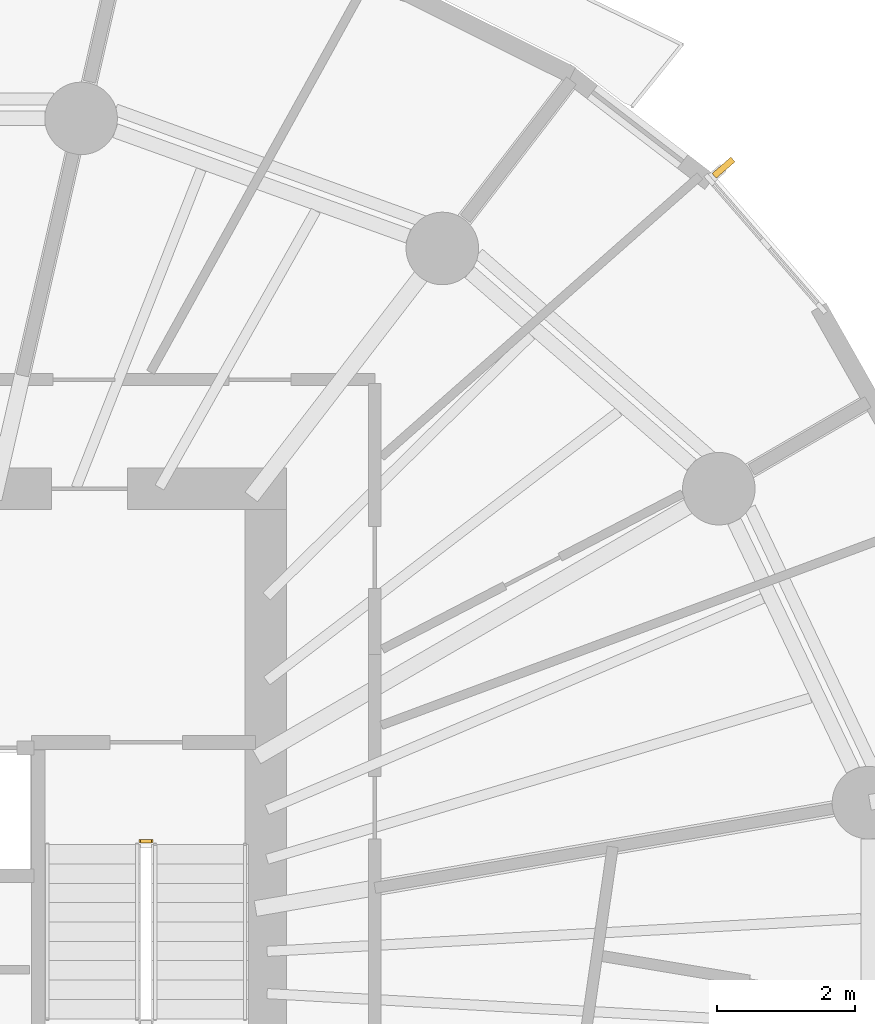
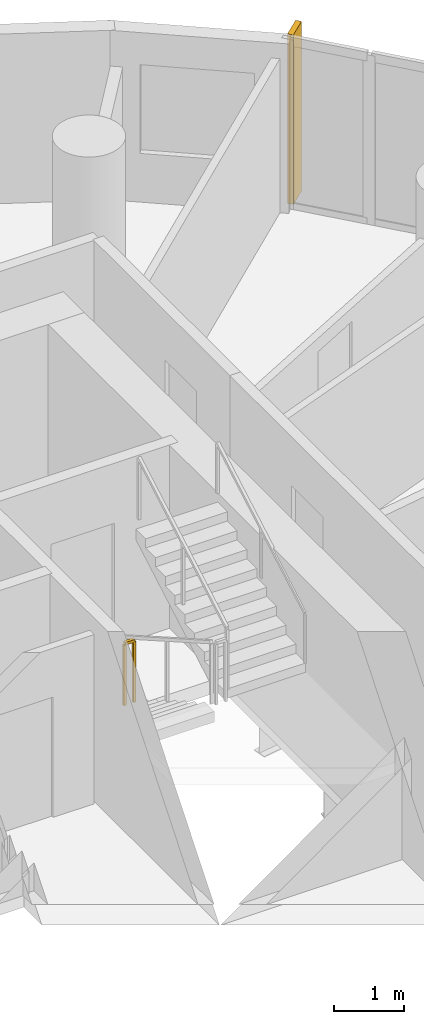
# One storey, part 12 of 12: 1 railing, 1 shading device.
"""IFC4 building model written with IfcOpenShell, lengths in metres."""

from ifc_helpers import new_model, si_unit, direction, frame, origin, origin_2d, place, context, subcontext, project, spatial, rectangle, extrude, material, layer, layer_set, type_object, element, save


model = new_model("IFC4")

# Units and contexts
model_context = context("Model", 3, precision=1e-05, world=origin(), true_north=direction((0.0, 1.0)))
body_context = subcontext(model_context, "Body", "Model", "MODEL_VIEW")
ifc_project = project(units=[si_unit("LENGTHUNIT", "METRE"), si_unit("AREAUNIT", "SQUARE_METRE"), si_unit("VOLUMEUNIT", "CUBIC_METRE"), si_unit("PLANEANGLEUNIT", "RADIAN"), si_unit("MASSUNIT", "GRAM", prefix="KILO")], contexts=[model_context])

# Site, building, storey
site_placement = place(None, origin())
site = spatial("IfcSite", under=ifc_project, at=site_placement, CompositionType="ELEMENT")
building_placement = place(site_placement, origin())
building = spatial("IfcBuilding", under=site, at=building_placement, Name="Veldorim Arch Residences", CompositionType="ELEMENT")
storey_placement = place(building_placement, frame((0.0, 0.0, 142.56005859375)))
storey = spatial("IfcBuildingStorey", under=building, at=storey_placement, Name="L42", CompositionType="ELEMENT", Elevation=142.56005859375)

# Railing
ifc_material_1 = material(Name="Steel S355", Category="steel")
railing_type = type_object("IfcRailingType", Name="Galvanised Steel Stair Safety Guardrail 1100", PredefinedType="GUARDRAIL", material=ifc_material_1)
railing_placement = place(storey_placement, frame((35.68994140625, 25.89990234375, 0.0)))
element("IfcRailing", 1, at=railing_placement, inside=storey, type_object=railing_type, Name="L42 ST-2 stair guard 4", PredefinedType="GUARDRAIL", context=body_context, shape_type="SweptSolid", body=[
    extrude(rectangle(XDim=0.048095703125, YDim=0.048095703125, at=origin_2d()), frame((0.0, 0.0, 1.076171875), z_axis=(1.0, 0.0, 0.0), x_axis=(0.0, 1.0, 0.0)), (0.0, 0.0, 1.0), 0.16015625),
    extrude(rectangle(XDim=0.0419921875, YDim=0.0419921875, at=origin_2d()), origin(), (0.0, 0.0, 1.0), 1.052001953125),
    extrude(rectangle(XDim=0.0419921875, YDim=0.0419921875, at=origin_2d()), frame((0.16015625, 0.0, 0.0)), (0.0, 0.0, 1.0), 1.052001953125),
])

# Shading device
ifc_material_2 = material(Name="Terracotta Ceramic", Category="masonry")
ifc_layer = layer(ifc_material_2, 0.090087890625, Name="Vertical Extruded Terracotta Baguette Sun-Shading Fin")
ifc_layer_set = layer_set([ifc_layer], Name="Terracotta Ceramic")
shading_device_type = type_object("IfcShadingDeviceType", Name="Vertical Extruded Terracotta Baguette Sun-Shading Fin", PredefinedType="USERDEFINED", material=ifc_layer_set)
shading_device_placement = place(storey_placement, frame((44.12451171875, 35.6455078125, 0.0), z_axis=(0.0, 0.0, 1.0), x_axis=(0.656454104053, -0.75436596508, 0.0)))
element("IfcShadingDevice", 2, at=shading_device_placement, inside=storey, type_object=shading_device_type, Name="L42 vertical terracotta sun-shading fin 01", ObjectType="FIN", PredefinedType="USERDEFINED", context=body_context, shape_type="SweptSolid", body=[
    extrude(rectangle(XDim=0.090087890625, YDim=0.360107421875, at=origin_2d()), origin(), (0.0, 0.0, 1.0), 2.9599609375),
])

save(model, "model.ifc")
